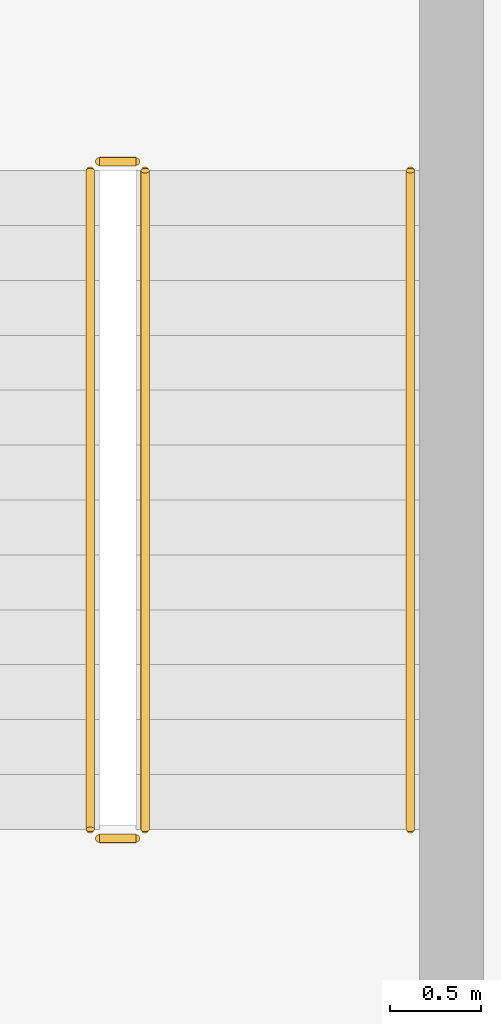
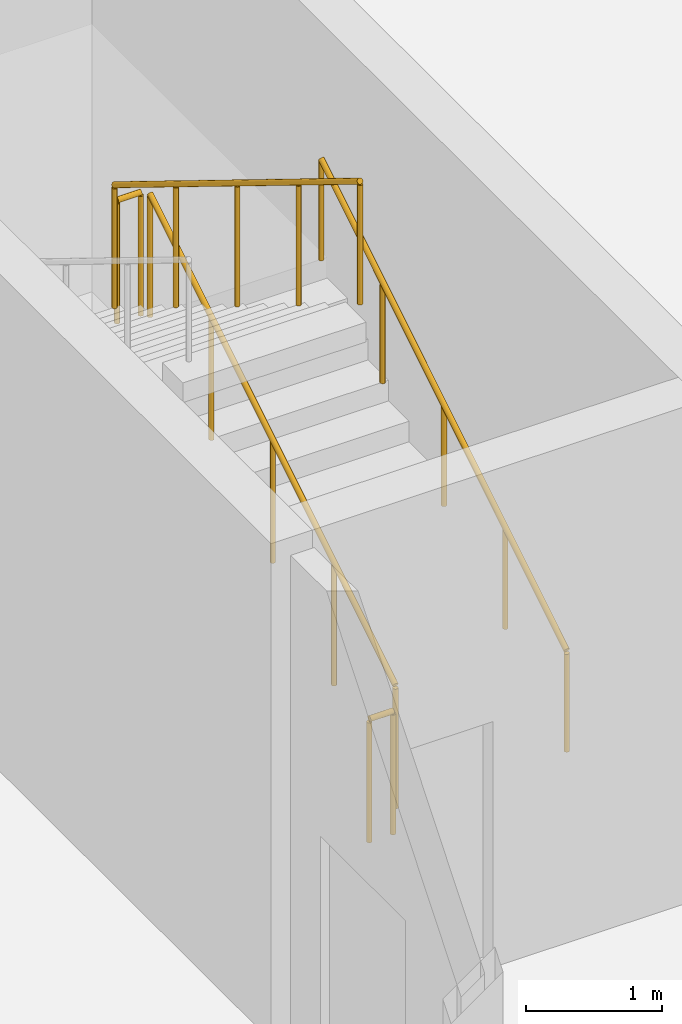
# One storey, part 80 of 89: 5 railings.
"""IFC4 building model written with IfcOpenShell, lengths in metres."""

import ifcopenshell
import ifcopenshell.guid

model = None  # the IFC model being written
_history = None  # IfcOwnerHistory: only IFC2X3 demands one
_inside = {}  # id of a spatial element -> (the spatial element, [elements in it])
_under = {}  # id of a project, library or spatial element -> (it, [spatial elements below it])
_declared = {}  # id of a project -> (the project, [libraries it declares])
_typed = {}  # id of a type object -> (the type object, [elements of that type])
_made_of = {}  # id of a material, layer set ... -> (it, [elements and type objects made of it])


def new_model(schema):
    """Start an empty IFC model of exactly this schema.

    Asked for "IFC4X3", IfcOpenShell would pick the latest addendum, in which some entities
    have other attributes; the version numbers below select the first issue.
    IFC2X3 requires an IfcOwnerHistory on every rooted entity: one is made here for all.
    """
    global model, _history
    if schema == "IFC4X3":
        model = ifcopenshell.file(schema_version=(4, 3, 0, 0))
    else:
        model = ifcopenshell.file(schema=schema)
    _inside.clear()
    _under.clear()
    _declared.clear()
    _typed.clear()
    _made_of.clear()
    _history = None
    if model.schema == "IFC2X3":
        org = make("IfcOrganization", Name="unknown")
        user = make(
            "IfcPersonAndOrganization",
            ThePerson=make("IfcPerson", FamilyName="unknown"),
            TheOrganization=org,
        )
        app = make(
            "IfcApplication",
            ApplicationDeveloper=org,
            Version="unknown",
            ApplicationFullName="unknown",
            ApplicationIdentifier="unknown",
        )
        _history = make(
            "IfcOwnerHistory",
            OwningUser=user,
            OwningApplication=app,
            ChangeAction="ADDED",
            CreationDate=0,
        )
    return model


def make(cls, **values):
    """One entity of the class cls with the attributes given. An attribute that is None is left unset."""
    return model.create_entity(
        cls, **{name: value for name, value in values.items() if value is not None}
    )


def rooted(cls, **values):
    """An entity with a GlobalId (a new one), such as an element, a storey or a relation."""
    return make(cls, GlobalId=ifcopenshell.guid.new(), OwnerHistory=_history, **values)


def si_unit(unit_type, name, prefix=None):
    """IfcSIUnit, for example si_unit("LENGTHUNIT", "METRE", prefix="MILLI")."""
    return make("IfcSIUnit", UnitType=unit_type, Prefix=prefix, Name=name)


def assignment(units):
    """IfcUnitAssignment: the units of a project."""
    return None if units is None else make("IfcUnitAssignment", Units=units)


def point(xyz):
    """IfcCartesianPoint."""
    return None if xyz is None else make("IfcCartesianPoint", Coordinates=xyz)


def direction(xyz):
    """IfcDirection."""
    return None if xyz is None else make("IfcDirection", DirectionRatios=xyz)


def frame(location, z_axis=None, x_axis=None):
    """IfcAxis2Placement3D, a coordinate frame: its origin and axes. An axis left out is left unset."""
    return make(
        "IfcAxis2Placement3D",
        Location=point(location),
        Axis=direction(z_axis),
        RefDirection=direction(x_axis),
    )


def frame_2d(location, x_axis=None):
    """IfcAxis2Placement2D, a coordinate frame in the plane: its origin and x axis."""
    return make(
        "IfcAxis2Placement2D", Location=point(location), RefDirection=direction(x_axis)
    )


def origin():
    """The frame at (0, 0, 0) with its axes left unset."""
    return frame((0.0, 0.0, 0.0))


def origin_2d():
    """The frame at (0, 0) in the plane with its x axis left unset."""
    return frame_2d((0.0, 0.0))


def place(relative_to, where):
    """IfcLocalPlacement: puts the frame where relative to a parent placement (None: the world)."""
    return make(
        "IfcLocalPlacement", PlacementRelTo=relative_to, RelativePlacement=where
    )


def context(
    kind, dimensions, precision=None, world=None, true_north=None, identifier=None
):
    """IfcGeometricRepresentationContext, for example the 3D "Model" context."""
    return make(
        "IfcGeometricRepresentationContext",
        ContextIdentifier=identifier,
        ContextType=kind,
        CoordinateSpaceDimension=dimensions,
        Precision=precision,
        WorldCoordinateSystem=world,
        TrueNorth=true_north,
    )


def subcontext(parent, identifier, kind, view, scale=None):
    """IfcGeometricRepresentationSubContext, for example "Body" below "Model"."""
    return make(
        "IfcGeometricRepresentationSubContext",
        ContextIdentifier=identifier,
        ContextType=kind,
        ParentContext=parent,
        TargetScale=scale,
        TargetView=view,
    )


def project(units=None, contexts=None):
    """IfcProject with its units and contexts."""
    return rooted(
        "IfcProject",
        Name="project",
        RepresentationContexts=contexts,
        UnitsInContext=assignment(units),
    )


def spatial(cls, under=None, at=None, **own):
    """A site, building, storey or space (cls), placed at a placement, below another one or the project."""
    s = rooted(cls, ObjectPlacement=at, **own)
    if under is not None:
        _under.setdefault(under.id(), (under, []))[1].append(s)
    return s


def profile(cls, at=None, kind="AREA", **sizes):
    """A parametric profile (cls). Its sizes go by their IFC names, for example OverallWidth=200.0."""
    return make(cls, ProfileType=kind, Position=at, **sizes)


def circle(**sizes):
    """IfcCircleProfileDef."""
    return profile("IfcCircleProfileDef", **sizes)


def extrude(swept, where, along, depth):
    """IfcExtrudedAreaSolid: the profile swept, set in the frame where, extruded along a direction by depth."""
    return make(
        "IfcExtrudedAreaSolid",
        SweptArea=swept,
        Position=where,
        ExtrudedDirection=direction(along),
        Depth=depth,
    )


def shape(context_of_items, identifier, shape_type, items):
    """IfcShapeRepresentation: the items that make up one representation, for example the "Body"."""
    return make(
        "IfcShapeRepresentation",
        ContextOfItems=context_of_items,
        RepresentationIdentifier=identifier,
        RepresentationType=shape_type,
        Items=items,
    )


def material(Name=None, Category=None):
    """IfcMaterial."""
    return make("IfcMaterial", Name=Name, Category=Category)


def made_of(thing, what):
    """Note that an element or type object is made of a material, layer set ...; save() writes the relation."""
    if what is not None:
        _made_of.setdefault(what.id(), (what, []))[1].append(thing)
    return thing


def type_object(cls, material=None, **own):
    """A type object (cls), such as IfcWallType, which elements share."""
    return made_of(rooted(cls, **own), material)


def element(
    cls,
    number,
    at=None,
    inside=None,
    cuts=None,
    type_object=None,
    material=None,
    context=None,
    identifier="Body",
    shape_type=None,
    held_by="IfcProductDefinitionShape",
    body=None,
    shapes=None,
    **own,
):
    """One element of the class cls, such as IfcWall. Its Tag is "e" and its number.

    at: its placement. inside: the storey or other place that contains it. cuts: it is an
    opening in that element (IfcRelVoidsElement). A single representation is given by context,
    identifier, shape_type and body (its items); several are given by shapes. held_by: the class
    of the entity that holds the representations. save() writes the other relations.
    """
    e = rooted(cls, Tag="e%d" % number, ObjectPlacement=at, **own)
    if body is not None:
        shapes = [shape(context, identifier, shape_type, body)]
    if shapes is not None:
        e.Representation = make(held_by, Representations=shapes)
    if inside is not None:
        _inside.setdefault(inside.id(), (inside, []))[1].append(e)
    if cuts is not None:
        rooted(
            "IfcRelVoidsElement", RelatingBuildingElement=cuts, RelatedOpeningElement=e
        )
    if type_object is not None:
        _typed.setdefault(type_object.id(), (type_object, []))[1].append(e)
    return made_of(e, material)


def aggregate(whole, parts):
    """IfcRelAggregates: a whole, such as a stair, and the parts it consists of."""
    return rooted("IfcRelAggregates", RelatingObject=whole, RelatedObjects=parts)


def save(model, path):
    """Write the relations noted so far, then the file.

    IfcRelAggregates (storeys below a building ...), IfcRelContainedInSpatialStructure (elements
    in a storey), IfcRelDefinesByType, IfcRelAssociatesMaterial and IfcRelDeclares: one each for
    every whole, place, type object, material and project.
    """
    for whole, parts in _under.values():
        aggregate(whole, parts)
    for where, things in _inside.values():
        rooted(
            "IfcRelContainedInSpatialStructure",
            RelatedElements=things,
            RelatingStructure=where,
        )
    for kind, things in _typed.values():
        rooted("IfcRelDefinesByType", RelatedObjects=things, RelatingType=kind)
    for what, things in _made_of.values():
        rooted("IfcRelAssociatesMaterial", RelatedObjects=things, RelatingMaterial=what)
    for by, libraries in _declared.values():
        rooted("IfcRelDeclares", RelatingContext=by, RelatedDefinitions=libraries)
    model.write(path)


model = new_model("IFC4")

# Units and contexts
model_context = context("Model", 3, precision=1e-05, world=origin(), true_north=direction((0.0, 1.0)))
body_context = subcontext(model_context, "Body", "Model", "MODEL_VIEW")
ifc_project = project(units=[si_unit("LENGTHUNIT", "METRE"), si_unit("AREAUNIT", "SQUARE_METRE"), si_unit("VOLUMEUNIT", "CUBIC_METRE"), si_unit("PLANEANGLEUNIT", "RADIAN"), si_unit("MASSUNIT", "GRAM", prefix="KILO")], contexts=[model_context])

# Site, building, storey
site_placement = place(None, origin())
site = spatial("IfcSite", under=ifc_project, at=site_placement, CompositionType="ELEMENT")
building_placement = place(site_placement, origin())
building = spatial("IfcBuilding", under=site, at=building_placement, Name="Soyqirgoq Riverine Aquarium", CompositionType="ELEMENT")
storey_placement = place(building_placement, frame((0.0, 0.0, 5.39990234375)))
storey = spatial("IfcBuildingStorey", under=building, at=storey_placement, Name="L02", CompositionType="ELEMENT", Elevation=5.39990234375)

# Railings
ifc_material_1 = material(Name="Brushed stainless steel 316L tubular handrail", Category="steel")
railing_type_1 = type_object("IfcRailingType", Name="StairPitchHandrail_920", PredefinedType="HANDRAIL", material=ifc_material_1)
railing_1_placement = place(storey_placement, frame((127.75, 62.050048828125, 0.184814453125)))
element("IfcRailing", 1, at=railing_1_placement, inside=storey, type_object=railing_type_1, Name="L02 ST-8 stair handrail 1", PredefinedType="HANDRAIL", context=body_context, shape_type="SweptSolid", body=[
    extrude(circle(Radius=0.02392578125, at=origin_2d()), frame((0.0, 0.0, 0.89990234375), z_axis=(0.0, 0.851654350407, 0.524103870844), x_axis=(-1.0, 0.0, 0.0)), (0.0, 0.0, 1.0), 4.226806640625),
    extrude(circle(Radius=0.02099609375, at=origin_2d()), origin(), (0.0, 0.0, 1.0), 0.875732421875),
    extrude(circle(Radius=0.02099609375, at=origin_2d()), frame((0.0, 0.89990234375, 0.5537109375)), (0.0, 0.0, 1.0), 0.875732421875),
    extrude(circle(Radius=0.02099609375, at=origin_2d()), frame((0.0, 1.7998046875, 1.107666015625)), (0.0, 0.0, 1.0), 0.875732421875),
    extrude(circle(Radius=0.02099609375, at=origin_2d()), frame((0.0, 2.699951171875, 1.66162109375)), (0.0, 0.0, 1.0), 0.875732421875),
    extrude(circle(Radius=0.02099609375, at=origin_2d()), frame((0.0, 3.599853515625, 2.21533203125)), (0.0, 0.0, 1.0), 0.875732421875),
])
ifc_material_2 = material(Name="Painted steel infill stair-well guardrail", Category="steel")
railing_type_2 = type_object("IfcRailingType", Name="StairWellGuard_1120", PredefinedType="GUARDRAIL", material=ifc_material_2)
railing_2_placement = place(storey_placement, frame((126.300048828125, 62.050048828125, 0.184814453125)))
element("IfcRailing", 2, at=railing_2_placement, inside=storey, type_object=railing_type_2, Name="L02 ST-8 stair guard 1", PredefinedType="GUARDRAIL", context=body_context, shape_type="SweptSolid", body=[
    extrude(circle(Radius=0.02392578125, at=origin_2d()), frame((0.0, 0.0, 1.09619140625), z_axis=(0.0, 0.851654350407, 0.524103870844), x_axis=(-1.0, 0.0, 0.0)), (0.0, 0.0, 1.0), 4.226806640625),
    extrude(circle(Radius=0.02099609375, at=origin_2d()), origin(), (0.0, 0.0, 1.0), 1.072021484375),
    extrude(circle(Radius=0.02099609375, at=origin_2d()), frame((0.0, 0.89990234375, 0.5537109375)), (0.0, 0.0, 1.0), 1.072021484375),
    extrude(circle(Radius=0.02099609375, at=origin_2d()), frame((0.0, 1.7998046875, 1.107666015625)), (0.0, 0.0, 1.0), 1.072021484375),
    extrude(circle(Radius=0.02099609375, at=origin_2d()), frame((0.0, 2.699951171875, 1.66162109375)), (0.0, 0.0, 1.0), 1.072021484375),
    extrude(circle(Radius=0.02099609375, at=origin_2d()), frame((0.0, 3.599853515625, 2.21533203125)), (0.0, 0.0, 1.0), 1.072021484375),
])
railing_3_placement = place(storey_placement, frame((126.25, 65.699951171875, 2.400146484375)))
element("IfcRailing", 3, at=railing_3_placement, inside=storey, type_object=railing_type_2, Name="L02 ST-8 stair guard 2", PredefinedType="GUARDRAIL", context=body_context, shape_type="SweptSolid", body=[
    extrude(circle(Radius=0.02392578125, at=origin_2d()), frame((0.0, 0.0, 1.09619140625), z_axis=(-1.0, 0.0, 0.0), x_axis=(0.0, -1.0, 0.0)), (0.0, 0.0, 1.0), 0.199951171875),
    extrude(circle(Radius=0.02099609375, at=origin_2d()), origin(), (0.0, 0.0, 1.0), 1.072021484375),
    extrude(circle(Radius=0.02099609375, at=origin_2d()), frame((-0.199951171875, 0.0, 0.0)), (0.0, 0.0, 1.0), 1.072021484375),
])
railing_4_placement = place(storey_placement, frame((126.0, 65.64990234375, 2.584716796875)))
element("IfcRailing", 4, at=railing_4_placement, inside=storey, type_object=railing_type_2, Name="L02 ST-8 stair guard 3", PredefinedType="GUARDRAIL", context=body_context, shape_type="SweptSolid", body=[
    extrude(circle(Radius=0.02392578125, at=origin_2d()), frame((0.0, 0.0, 1.09619140625), z_axis=(0.0, -0.851654350407, 0.524103870844), x_axis=(1.0, 0.0, 0.0)), (0.0, 0.0, 1.0), 4.226806640625),
    extrude(circle(Radius=0.02099609375, at=origin_2d()), origin(), (0.0, 0.0, 1.0), 1.072021484375),
    extrude(circle(Radius=0.02099609375, at=origin_2d()), frame((0.0, -0.89990234375, 0.5537109375)), (0.0, 0.0, 1.0), 1.072021484375),
    extrude(circle(Radius=0.02099609375, at=origin_2d()), frame((0.0, -1.7998046875, 1.107666015625)), (0.0, 0.0, 1.0), 1.072021484375),
    extrude(circle(Radius=0.02099609375, at=origin_2d()), frame((0.0, -2.699951171875, 1.66162109375)), (0.0, 0.0, 1.0), 1.072021484375),
    extrude(circle(Radius=0.02099609375, at=origin_2d()), frame((0.0, -3.599853515625, 2.21533203125)), (0.0, 0.0, 1.0), 1.072021484375),
])
railing_5_placement = place(storey_placement, frame((126.25, 62.0, 0.0)))
element("IfcRailing", 5, at=railing_5_placement, inside=storey, type_object=railing_type_2, Name="L02 ST-8 stair guard 4", PredefinedType="GUARDRAIL", context=body_context, shape_type="SweptSolid", body=[
    extrude(circle(Radius=0.02392578125, at=origin_2d()), frame((0.0, 0.0, 1.09619140625), z_axis=(-1.0, 0.0, 0.0), x_axis=(0.0, -1.0, 0.0)), (0.0, 0.0, 1.0), 0.199951171875),
    extrude(circle(Radius=0.02099609375, at=origin_2d()), origin(), (0.0, 0.0, 1.0), 1.072021484375),
    extrude(circle(Radius=0.02099609375, at=origin_2d()), frame((-0.199951171875, 0.0, 0.0)), (0.0, 0.0, 1.0), 1.072021484375),
])

save(model, "model.ifc")
